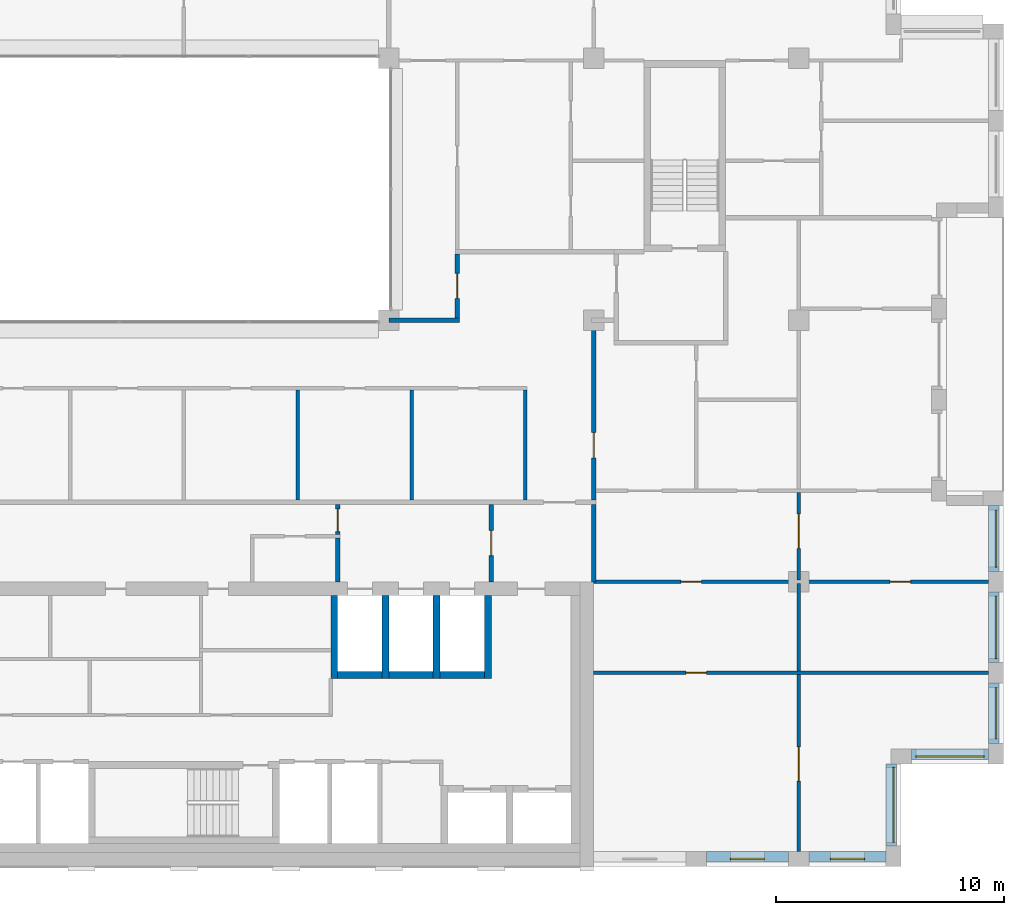
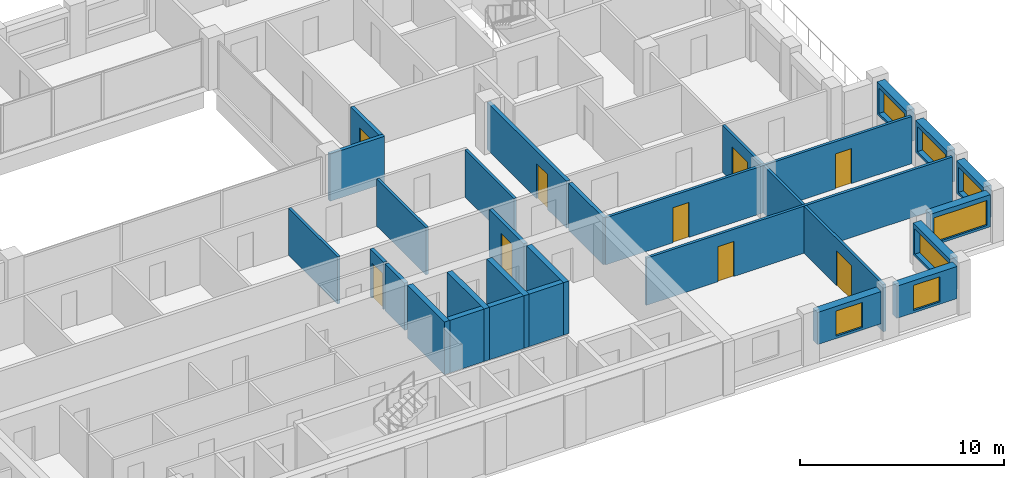
# One storey, part 11 of 15: 29 walls, 9 doors, 7 windows, 16 openings.
"""IFC4 building model written with IfcOpenShell, lengths in metres."""

from ifc_helpers import new_model, si_unit, direction, frame, frame_2d, origin, place, context, subcontext, project, spatial, rectangle, extrude, material, layer, layer_set, type_object, element, fill, save


model = new_model("IFC4")

# Units and contexts
model_context = context("Model", 3, precision=1e-05, world=origin(), true_north=direction((0.0, 1.0)))
body_context = subcontext(model_context, "Body", "Model", "MODEL_VIEW")
ifc_project = project(units=[si_unit("LENGTHUNIT", "METRE"), si_unit("AREAUNIT", "SQUARE_METRE"), si_unit("VOLUMEUNIT", "CUBIC_METRE"), si_unit("PLANEANGLEUNIT", "RADIAN"), si_unit("MASSUNIT", "GRAM", prefix="KILO")], contexts=[model_context])

# Site, building, storey
site_placement = place(None, origin())
site = spatial("IfcSite", under=ifc_project, at=site_placement, CompositionType="ELEMENT")
building_placement = place(site_placement, origin())
building = spatial("IfcBuilding", under=site, at=building_placement, Name="Brigalow Station Residences", CompositionType="ELEMENT")
storey_placement = place(building_placement, frame((0.0, 0.0, 207.449951171875)))
storey = spatial("IfcBuildingStorey", under=building, at=storey_placement, Name="L59", CompositionType="ELEMENT", Elevation=207.449951171875)

# Wall, opening, window
ifc_material_1 = material(Name="Clay brick masonry", Category="masonry")
ifc_layer_1 = layer(ifc_material_1, 0.449951171875)
ifc_layer_set_1 = layer_set([ifc_layer_1], Name="BRICK INFILL WALL 450")
wall_type_1 = type_object("IfcWallType", Name="BRICK INFILL WALL 450", PredefinedType="SOLIDWALL", material=ifc_layer_set_1)
wall_1_placement = place(storey_placement, frame((58.949951171875, 0.425048828125, 0.900146484375), z_axis=(0.0, 0.0, 1.0), x_axis=(1.0, 0.0, 0.0)))
wall_1 = element("IfcWall", 1, at=wall_1_placement, inside=storey, type_object=wall_type_1, Name="L59/ewall/W-L59-4", PredefinedType="SOLIDWALL", context=body_context, shape_type="SweptSolid", body=[
    extrude(rectangle(XDim=3.60009765625, YDim=0.449951171875, at=frame_2d((1.800048828125, 0.0))), origin(), (0.0, 0.0, 1.0), 1.929931640625),
])
opening_1_placement = place(wall_1_placement, frame((1.050048828125, 0.0, 0.14990234375)))
opening_1 = element("IfcOpeningElement", 2, at=opening_1_placement, cuts=wall_1, Name="Opening WT-1", PredefinedType="OPENING", context=body_context, shape_type="SweptSolid", body=[
    extrude(rectangle(XDim=1.5, YDim=1.5, at=frame_2d((0.75, 0.75))), frame((0.0, 0.23486328125, 0.0), z_axis=(0.0, -1.0, 0.0), x_axis=(1.0, 0.0, 0.0)), (0.0, 0.0, 1.0), 0.469970703125),
])
ifc_material_2 = material(Name="Anodised aluminium frame with double glazing", Category="aluminium")
window_type_1 = type_object("IfcWindowType", Name="WINDOW 1500x1500", PartitioningType="SINGLE_PANEL", PredefinedType="WINDOW", material=ifc_material_2)
window_1_placement = place(opening_1_placement, origin())
window_1 = element("IfcWindow", 3, at=window_1_placement, inside=storey, type_object=window_type_1, Name="L59/window/W-L59-4", OverallHeight=1.5, OverallWidth=1.5, PartitioningType="SINGLE_PANEL", PredefinedType="WINDOW", context=body_context, shape_type="SweptSolid", body=[
    extrude(rectangle(XDim=1.5, YDim=1.5, at=frame_2d((0.75, 0.75))), frame((0.0, -0.06494140625, 0.0), z_axis=(0.0, -1.0, 0.0), x_axis=(1.0, 0.0, 0.0)), (0.0, 0.0, 1.0), 0.06005859375),
])
fill(opening_1, window_1)

wall_2_placement = place(storey_placement, frame((63.449951171875, 0.425048828125, 0.900146484375), z_axis=(0.0, 0.0, 1.0), x_axis=(1.0, 0.0, 0.0)))
wall_2 = element("IfcWall", 4, at=wall_2_placement, inside=storey, type_object=wall_type_1, Name="L59/ewall/W-L59-5", PredefinedType="SOLIDWALL", context=body_context, shape_type="SweptSolid", body=[
    extrude(rectangle(XDim=3.400146484375, YDim=0.449951171875, at=frame_2d((1.7001953125, 0.0))), origin(), (0.0, 0.0, 1.0), 1.929931640625),
])
opening_2_placement = place(wall_2_placement, frame((0.949951171875, 0.0, 0.14990234375)))
opening_2 = element("IfcOpeningElement", 5, at=opening_2_placement, cuts=wall_2, Name="Opening WT-1", PredefinedType="OPENING", context=body_context, shape_type="SweptSolid", body=[
    extrude(rectangle(XDim=1.5, YDim=1.5, at=frame_2d((0.75, 0.75))), frame((0.0, 0.23486328125, 0.0), z_axis=(0.0, -1.0, 0.0), x_axis=(1.0, 0.0, 0.0)), (0.0, 0.0, 1.0), 0.469970703125),
])
window_2_placement = place(opening_2_placement, origin())
window_2 = element("IfcWindow", 6, at=window_2_placement, inside=storey, type_object=window_type_1, Name="L59/window/W-L59-5", OverallHeight=1.5, OverallWidth=1.5, PartitioningType="SINGLE_PANEL", PredefinedType="WINDOW", context=body_context, shape_type="SweptSolid", body=[
    extrude(rectangle(XDim=1.5, YDim=1.5, at=frame_2d((0.75, 0.75))), frame((0.0, -0.06494140625, 0.0), z_axis=(0.0, -1.0, 0.0), x_axis=(1.0, 0.0, 0.0)), (0.0, 0.0, 1.0), 0.06005859375),
])
fill(opening_2, window_2)

wall_3_placement = place(storey_placement, frame((67.074951171875, 0.89990234375, 0.900146484375), z_axis=(0.0, 0.0, 1.0), x_axis=(0.0, 1.0, 0.0)))
wall_3 = element("IfcWall", 7, at=wall_3_placement, inside=storey, type_object=wall_type_1, Name="L59/ewall/W-L59-6", PredefinedType="SOLIDWALL", context=body_context, shape_type="SweptSolid", body=[
    extrude(rectangle(XDim=3.60009765625, YDim=0.449951171875, at=frame_2d((1.800048828125, 0.0))), origin(), (0.0, 0.0, 1.0), 1.929931640625),
])
opening_3_placement = place(wall_3_placement, frame((0.14990234375, 0.0, 0.14990234375)))
opening_3 = element("IfcOpeningElement", 8, at=opening_3_placement, cuts=wall_3, Name="Opening WT-10", PredefinedType="OPENING", context=body_context, shape_type="SweptSolid", body=[
    extrude(rectangle(XDim=3.300048828125, YDim=1.5, at=frame_2d((1.64990234375, 0.75))), frame((0.0, 0.23486328125, 0.0), z_axis=(0.0, -1.0, 0.0), x_axis=(1.0, 0.0, 0.0)), (0.0, 0.0, 1.0), 0.469970703125),
])
ifc_material_3 = material(Name="Anodised aluminium frame with double glazing", Category="aluminium")
window_type_2 = type_object("IfcWindowType", Name="WINDOW 3300x1500", PartitioningType="SINGLE_PANEL", PredefinedType="WINDOW", material=ifc_material_3)
window_3_placement = place(opening_3_placement, origin())
window_3 = element("IfcWindow", 9, at=window_3_placement, inside=storey, type_object=window_type_2, Name="L59/window/W-L59-6", OverallHeight=1.5, OverallWidth=3.300048828125, PartitioningType="SINGLE_PANEL", PredefinedType="WINDOW", context=body_context, shape_type="SweptSolid", body=[
    extrude(rectangle(XDim=3.300048828125, YDim=1.5, at=frame_2d((1.64990234375, 0.75))), frame((0.0, -0.06494140625, 0.0), z_axis=(0.0, -1.0, 0.0), x_axis=(1.0, 0.0, 0.0)), (0.0, 0.0, 1.0), 0.06005859375),
])
fill(opening_3, window_3)

wall_4_placement = place(storey_placement, frame((67.949951171875, 4.925048828125, 0.900146484375), z_axis=(0.0, 0.0, 1.0), x_axis=(1.0, 0.0, 0.0)))
wall_4 = element("IfcWall", 10, at=wall_4_placement, inside=storey, type_object=wall_type_1, Name="L59/ewall/W-L59-7", PredefinedType="SOLIDWALL", context=body_context, shape_type="SweptSolid", body=[
    extrude(rectangle(XDim=3.400146484375, YDim=0.449951171875, at=frame_2d((1.7001953125, 0.0))), origin(), (0.0, 0.0, 1.0), 1.929931640625),
])
opening_4_placement = place(wall_4_placement, frame((0.199951171875, 0.0, 0.14990234375)))
opening_4 = element("IfcOpeningElement", 11, at=opening_4_placement, cuts=wall_4, Name="Opening WT-2", PredefinedType="OPENING", context=body_context, shape_type="SweptSolid", body=[
    extrude(rectangle(XDim=3.0, YDim=1.5, at=frame_2d((1.5, 0.75))), frame((0.0, 0.23486328125, 0.0), z_axis=(0.0, -1.0, 0.0), x_axis=(1.0, 0.0, 0.0)), (0.0, 0.0, 1.0), 0.469970703125),
])
ifc_material_4 = material(Name="Anodised aluminium frame with double glazing", Category="aluminium")
window_type_3 = type_object("IfcWindowType", Name="WINDOW 3000x1500", PartitioningType="SINGLE_PANEL", PredefinedType="WINDOW", material=ifc_material_4)
window_4_placement = place(opening_4_placement, origin())
window_4 = element("IfcWindow", 12, at=window_4_placement, inside=storey, type_object=window_type_3, Name="L59/window/W-L59-7", OverallHeight=1.5, OverallWidth=3.0, PartitioningType="SINGLE_PANEL", PredefinedType="WINDOW", context=body_context, shape_type="SweptSolid", body=[
    extrude(rectangle(XDim=3.0, YDim=1.5, at=frame_2d((1.5, 0.75))), frame((0.0, -0.06494140625, 0.0), z_axis=(0.0, -1.0, 0.0), x_axis=(1.0, 0.0, 0.0)), (0.0, 0.0, 1.0), 0.06005859375),
])
fill(opening_4, window_4)

wall_5_placement = place(storey_placement, frame((71.574951171875, 5.39990234375, 0.900146484375), z_axis=(0.0, 0.0, 1.0), x_axis=(0.0, 1.0, 0.0)))
wall_5 = element("IfcWall", 13, at=wall_5_placement, inside=storey, type_object=wall_type_1, Name="L59/ewall/W-L59-8", PredefinedType="SOLIDWALL", context=body_context, shape_type="SweptSolid", body=[
    extrude(rectangle(XDim=2.650146484375, YDim=0.449951171875, at=frame_2d((1.3251953125, 0.0))), origin(), (0.0, 0.0, 1.0), 1.929931640625),
])
opening_5_placement = place(wall_5_placement, frame((0.199951171875, 0.0, 0.14990234375)))
opening_5 = element("IfcOpeningElement", 14, at=opening_5_placement, cuts=wall_5, Name="Opening WT-6", PredefinedType="OPENING", context=body_context, shape_type="SweptSolid", body=[
    extrude(rectangle(XDim=2.25, YDim=1.5, at=frame_2d((1.125, 0.75))), frame((0.0, 0.23486328125, 0.0), z_axis=(0.0, -1.0, 0.0), x_axis=(1.0, 0.0, 0.0)), (0.0, 0.0, 1.0), 0.469970703125),
])
ifc_material_5 = material(Name="Anodised aluminium frame with double glazing", Category="aluminium")
window_type_4 = type_object("IfcWindowType", Name="WINDOW 2250x1500", PartitioningType="SINGLE_PANEL", PredefinedType="WINDOW", material=ifc_material_5)
window_5_placement = place(opening_5_placement, origin())
window_5 = element("IfcWindow", 15, at=window_5_placement, inside=storey, type_object=window_type_4, Name="L59/window/W-L59-8", OverallHeight=1.5, OverallWidth=2.25, PartitioningType="SINGLE_PANEL", PredefinedType="WINDOW", context=body_context, shape_type="SweptSolid", body=[
    extrude(rectangle(XDim=2.25, YDim=1.5, at=frame_2d((1.125, 0.75))), frame((0.0, -0.06494140625, 0.0), z_axis=(0.0, -1.0, 0.0), x_axis=(1.0, 0.0, 0.0)), (0.0, 0.0, 1.0), 0.06005859375),
])
fill(opening_5, window_5)

wall_6_placement = place(storey_placement, frame((71.574951171875, 8.949951171875, 0.900146484375), z_axis=(0.0, 0.0, 1.0), x_axis=(0.0, 1.0, 0.0)))
wall_6 = element("IfcWall", 16, at=wall_6_placement, inside=storey, type_object=wall_type_1, Name="L59/ewall/W-L59-9", PredefinedType="SOLIDWALL", context=body_context, shape_type="SweptSolid", body=[
    extrude(rectangle(XDim=3.10009765625, YDim=0.449951171875, at=frame_2d((1.550048828125, 0.0))), origin(), (0.0, 0.0, 1.0), 1.929931640625),
])
opening_6_placement = place(wall_6_placement, frame((0.175048828125, 0.0, 0.14990234375)))
opening_6 = element("IfcOpeningElement", 17, at=opening_6_placement, cuts=wall_6, Name="Opening WT-3", PredefinedType="OPENING", context=body_context, shape_type="SweptSolid", body=[
    extrude(rectangle(XDim=2.75, YDim=1.5, at=frame_2d((1.375, 0.75))), frame((0.0, 0.23486328125, 0.0), z_axis=(0.0, -1.0, 0.0), x_axis=(1.0, 0.0, 0.0)), (0.0, 0.0, 1.0), 0.469970703125),
])
ifc_material_6 = material(Name="Anodised aluminium frame with double glazing", Category="aluminium")
window_type_5 = type_object("IfcWindowType", Name="WINDOW 2750x1500", PartitioningType="SINGLE_PANEL", PredefinedType="WINDOW", material=ifc_material_6)
window_6_placement = place(opening_6_placement, origin())
window_6 = element("IfcWindow", 18, at=window_6_placement, inside=storey, type_object=window_type_5, Name="L59/window/W-L59-9", OverallHeight=1.5, OverallWidth=2.75, PartitioningType="SINGLE_PANEL", PredefinedType="WINDOW", context=body_context, shape_type="SweptSolid", body=[
    extrude(rectangle(XDim=2.75, YDim=1.5, at=frame_2d((1.375, 0.75))), frame((0.0, -0.06494140625, 0.0), z_axis=(0.0, -1.0, 0.0), x_axis=(1.0, 0.0, 0.0)), (0.0, 0.0, 1.0), 0.06005859375),
])
fill(opening_6, window_6)

wall_7_placement = place(storey_placement, frame((71.574951171875, 12.949951171875, 0.900146484375), z_axis=(0.0, 0.0, 1.0), x_axis=(0.0, 1.0, 0.0)))
wall_7 = element("IfcWall", 19, at=wall_7_placement, inside=storey, type_object=wall_type_1, Name="L59/ewall/W-L59-10", PredefinedType="SOLIDWALL", context=body_context, shape_type="SweptSolid", body=[
    extrude(rectangle(XDim=2.900146484375, YDim=0.449951171875, at=frame_2d((1.4501953125, 0.0))), origin(), (0.0, 0.0, 1.0), 1.929931640625),
])
opening_7_placement = place(wall_7_placement, frame((0.199951171875, 0.0, 0.14990234375)))
opening_7 = element("IfcOpeningElement", 20, at=opening_7_placement, cuts=wall_7, Name="Opening WT-5", PredefinedType="OPENING", context=body_context, shape_type="SweptSolid", body=[
    extrude(rectangle(XDim=2.5, YDim=1.5, at=frame_2d((1.25, 0.75))), frame((0.0, 0.23486328125, 0.0), z_axis=(0.0, -1.0, 0.0), x_axis=(1.0, 0.0, 0.0)), (0.0, 0.0, 1.0), 0.469970703125),
])
ifc_material_7 = material(Name="Anodised aluminium frame with double glazing", Category="aluminium")
window_type_6 = type_object("IfcWindowType", Name="WINDOW 2500x1500", PartitioningType="SINGLE_PANEL", PredefinedType="WINDOW", material=ifc_material_7)
window_7_placement = place(opening_7_placement, origin())
window_7 = element("IfcWindow", 21, at=window_7_placement, inside=storey, type_object=window_type_6, Name="L59/window/W-L59-10", OverallHeight=1.5, OverallWidth=2.5, PartitioningType="SINGLE_PANEL", PredefinedType="WINDOW", context=body_context, shape_type="SweptSolid", body=[
    extrude(rectangle(XDim=2.5, YDim=1.5, at=frame_2d((1.25, 0.75))), frame((0.0, -0.06494140625, 0.0), z_axis=(0.0, -1.0, 0.0), x_axis=(1.0, 0.0, 0.0)), (0.0, 0.0, 1.0), 0.06005859375),
])
fill(opening_7, window_7)

# Walls
ifc_material_8 = material(Name="Concrete C50", Category="concrete")
ifc_layer_2 = layer(ifc_material_8, 0.300048828125)
ifc_layer_set_2 = layer_set([ifc_layer_2], Name="CORE SHEAR WALL 300 C50")
wall_type_2 = type_object("IfcWallType", Name="CORE SHEAR WALL 300 C50", PredefinedType="SHEAR", material=ifc_layer_set_2)
wall_8_placement = place(storey_placement, frame((42.75, 8.39990234375, 0.0), z_axis=(0.0, 0.0, 1.0), x_axis=(1.0, 0.0, 0.0)))
element("IfcWall", 22, at=wall_8_placement, inside=storey, type_object=wall_type_2, Name="CORE WALL SH-FF1-S L59", PredefinedType="SHEAR", context=body_context, shape_type="SweptSolid", body=[
    extrude(rectangle(XDim=1.949951171875, YDim=0.300048828125, at=frame_2d((0.97509765625, 0.0))), origin(), (0.0, 0.0, 1.0), 3.150146484375),
])
wall_9_placement = place(storey_placement, frame((42.60009765625, 8.25, 0.0), z_axis=(0.0, 0.0, 1.0), x_axis=(0.0, 1.0, 0.0)))
element("IfcWall", 23, at=wall_9_placement, inside=storey, type_object=wall_type_2, Name="CORE WALL SH-FF1-W L59", PredefinedType="SHEAR", context=body_context, shape_type="SweptSolid", body=[
    extrude(rectangle(XDim=3.64990234375, YDim=0.300048828125, at=frame_2d((1.824951171875, 0.0))), origin(), (0.0, 0.0, 1.0), 3.150146484375),
])
wall_10_placement = place(storey_placement, frame((45.0, 8.39990234375, 0.0), z_axis=(0.0, 0.0, 1.0), x_axis=(1.0, 0.0, 0.0)))
element("IfcWall", 24, at=wall_10_placement, inside=storey, type_object=wall_type_2, Name="CORE WALL SH-FF2-S L59", PredefinedType="SHEAR", context=body_context, shape_type="SweptSolid", body=[
    extrude(rectangle(XDim=1.949951171875, YDim=0.300048828125, at=frame_2d((0.97509765625, 0.0))), origin(), (0.0, 0.0, 1.0), 3.150146484375),
])
wall_11_placement = place(storey_placement, frame((44.85009765625, 8.25, 0.0), z_axis=(0.0, 0.0, 1.0), x_axis=(0.0, 1.0, 0.0)))
element("IfcWall", 25, at=wall_11_placement, inside=storey, type_object=wall_type_2, Name="CORE WALL SH-FF2-W L59", PredefinedType="SHEAR", context=body_context, shape_type="SweptSolid", body=[
    extrude(rectangle(XDim=3.64990234375, YDim=0.300048828125, at=frame_2d((1.824951171875, 0.0))), origin(), (0.0, 0.0, 1.0), 3.150146484375),
])
wall_12_placement = place(storey_placement, frame((47.25, 8.39990234375, 0.0), z_axis=(0.0, 0.0, 1.0), x_axis=(1.0, 0.0, 0.0)))
element("IfcWall", 26, at=wall_12_placement, inside=storey, type_object=wall_type_2, Name="CORE WALL SH-SL1-S L59", PredefinedType="SHEAR", context=body_context, shape_type="SweptSolid", body=[
    extrude(rectangle(XDim=1.949951171875, YDim=0.300048828125, at=frame_2d((0.97509765625, 0.0))), origin(), (0.0, 0.0, 1.0), 3.150146484375),
])
for number, where, z_axis, x_axis, name in (
    (27, (47.10009765625, 8.25, 0.0), (0.0, 0.0, 1.0), (0.0, 1.0, 0.0), "CORE WALL SH-SL1-W L59"),
    (28, (49.35009765625, 8.25, 0.0), (0.0, 0.0, 1.0), (0.0, 1.0, 0.0), "CORE WALL SH-SL1-E L59"),
):
    element("IfcWall", number, at=place(storey_placement, frame(where, z_axis=z_axis, x_axis=x_axis)), inside=storey, type_object=wall_type_2, Name=name, PredefinedType="SHEAR", context=body_context, shape_type="SweptSolid", body=[
        extrude(rectangle(XDim=3.64990234375, YDim=0.300048828125, at=frame_2d((1.824951171875, 0.0))), origin(), (0.0, 0.0, 1.0), 3.150146484375),
    ])
ifc_material_9 = material(Name="Concrete blockwork", Category="masonry")
ifc_layer_3 = layer(ifc_material_9, 0.199951171875)
ifc_layer_set_3 = layer_set([ifc_layer_3], Name="FIRE RATED CORE PARTITION 200")
wall_type_3 = type_object("IfcWallType", Name="FIRE RATED CORE PARTITION 200", PredefinedType="PARTITIONING", material=ifc_layer_set_3)
wall_13_placement = place(storey_placement, frame((42.75, 12.5, 0.0), z_axis=(0.0, 0.0, 1.0), x_axis=(0.0, 1.0, 0.0)))
element("IfcWall", 29, at=wall_13_placement, inside=storey, type_object=wall_type_3, Name="PW-5046", PredefinedType="PARTITIONING", context=body_context, shape_type="SweptSolid", body=[
    extrude(rectangle(XDim=1.925048828125, YDim=0.199951171875, at=frame_2d((0.96240234375, 0.0))), origin(), (0.0, 0.0, 1.0), 2.830078125),
])

# Wall, opening, door
wall_14_placement = place(storey_placement, frame((49.5, 12.5, 0.0), z_axis=(0.0, 0.0, 1.0), x_axis=(0.0, 1.0, 0.0)))
wall_14 = element("IfcWall", 30, at=wall_14_placement, inside=storey, type_object=wall_type_3, Name="PW-5015", PredefinedType="PARTITIONING", context=body_context, shape_type="SweptSolid", body=[
    extrude(rectangle(XDim=3.39990234375, YDim=0.199951171875, at=frame_2d((1.699951171875, 0.0))), origin(), (0.0, 0.0, 1.0), 2.830078125),
])
opening_8_placement = place(wall_14_placement, frame((1.14990234375, 0.0, 0.0)))
opening_8 = element("IfcOpeningElement", 31, at=opening_8_placement, cuts=wall_14, Name="Opening D-5014", PredefinedType="OPENING", context=body_context, shape_type="SweptSolid", body=[
    extrude(rectangle(XDim=1.10009765625, YDim=2.10009765625, at=frame_2d((0.550048828125, 1.050048828125))), frame((0.0, 0.10986328125, 0.0), z_axis=(0.0, -1.0, 0.0), x_axis=(1.0, 0.0, 0.0)), (0.0, 0.0, 1.0), 0.219970703125),
])
ifc_material_10 = material(Name="Steel fire door leaf in steel frame", Category="steel")
door_type_1 = type_object("IfcDoorType", Name="LOBBY DOOR 1100 x 2100 FD60S", OperationType="SINGLE_SWING_LEFT", PredefinedType="DOOR", material=ifc_material_10)
door_1_placement = place(opening_8_placement, origin())
door_1 = element("IfcDoor", 32, at=door_1_placement, inside=storey, type_object=door_type_1, Name="D-5014", OperationType="SINGLE_SWING_LEFT", OverallHeight=2.10009765625, OverallWidth=1.10009765625, PredefinedType="DOOR", context=body_context, shape_type="SweptSolid", body=[
    extrude(rectangle(XDim=1.10009765625, YDim=2.10009765625, at=frame_2d((0.550048828125, 1.050048828125))), frame((0.0, 0.02490234375, 0.0), z_axis=(0.0, -1.0, 0.0), x_axis=(1.0, 0.0, 0.0)), (0.0, 0.0, 1.0), 0.050048828125),
])
fill(opening_8, door_1)

# Wall
wall_15_placement = place(storey_placement, frame((54.0, 12.5, 0.0), z_axis=(0.0, 0.0, 1.0), x_axis=(0.0, 1.0, 0.0)))
element("IfcWall", 33, at=wall_15_placement, inside=storey, type_object=wall_type_3, Name="PW-5016", PredefinedType="PARTITIONING", context=body_context, shape_type="SweptSolid", body=[
    extrude(rectangle(XDim=3.39990234375, YDim=0.199951171875, at=frame_2d((1.699951171875, 0.0))), origin(), (0.0, 0.0, 1.0), 2.830078125),
])

# Wall, opening, door
wall_16_placement = place(storey_placement, frame((42.75, 14.574951171875, 0.0), z_axis=(0.0, 0.0, 1.0), x_axis=(0.0, 1.0, 0.0)))
wall_16 = element("IfcWall", 34, at=wall_16_placement, inside=storey, type_object=wall_type_3, Name="PW-5047", PredefinedType="PARTITIONING", context=body_context, shape_type="SweptSolid", body=[
    extrude(rectangle(XDim=1.324951171875, YDim=0.199951171875, at=frame_2d((0.66259765625, 0.0))), origin(), (0.0, 0.0, 1.0), 2.830078125),
])
opening_9_placement = place(wall_16_placement, frame((0.125, 0.0, 0.0)))
opening_9 = element("IfcOpeningElement", 35, at=opening_9_placement, cuts=wall_16, Name="Opening D-5013", PredefinedType="OPENING", context=body_context, shape_type="SweptSolid", body=[
    extrude(rectangle(XDim=1.0, YDim=2.10009765625, at=frame_2d((0.5, 1.050048828125))), frame((0.0, 0.10986328125, 0.0), z_axis=(0.0, -1.0, 0.0), x_axis=(1.0, 0.0, 0.0)), (0.0, 0.0, 1.0), 0.219970703125),
])
ifc_material_11 = material(Name="Steel fire door leaf in steel frame", Category="steel")
door_type_2 = type_object("IfcDoorType", Name="LOBBY DOOR 1000 x 2100 FD60S", OperationType="SINGLE_SWING_LEFT", PredefinedType="DOOR", material=ifc_material_11)
door_2_placement = place(opening_9_placement, origin())
door_2 = element("IfcDoor", 36, at=door_2_placement, inside=storey, type_object=door_type_2, Name="D-5013", OperationType="SINGLE_SWING_LEFT", OverallHeight=2.10009765625, OverallWidth=1.0, PredefinedType="DOOR", context=body_context, shape_type="SweptSolid", body=[
    extrude(rectangle(XDim=1.0, YDim=2.10009765625, at=frame_2d((0.5, 1.050048828125))), frame((0.0, 0.02490234375, 0.0), z_axis=(0.0, -1.0, 0.0), x_axis=(1.0, 0.0, 0.0)), (0.0, 0.0, 1.0), 0.050048828125),
])
fill(opening_9, door_2)

# Wall, openings, doors
ifc_material_12 = material(Name="Plasterboard on steel stud partition", Category="steel")
ifc_layer_4 = layer(ifc_material_12, 0.14990234375)
ifc_layer_set_4 = layer_set([ifc_layer_4], Name="FLAT PARTITION 150")
wall_type_4 = type_object("IfcWallType", Name="FLAT PARTITION 150", PredefinedType="PARTITIONING", material=ifc_layer_set_4)
wall_17_placement = place(storey_placement, frame((54.0, 12.5, 0.0), z_axis=(0.0, 0.0, 1.0), x_axis=(1.0, 0.0, 0.0)))
wall_17 = element("IfcWall", 37, at=wall_17_placement, inside=storey, type_object=wall_type_4, Name="PW-4B11", PredefinedType="PARTITIONING", context=body_context, shape_type="SweptSolid", body=[
    extrude(rectangle(XDim=17.35009765625, YDim=0.14990234375, at=frame_2d((8.675048828125, 0.0))), origin(), (0.0, 0.0, 1.0), 2.830078125),
])
opening_10_placement = place(wall_17_placement, frame((3.824951171875, 0.0, 0.0)))
opening_10 = element("IfcOpeningElement", 38, at=opening_10_placement, cuts=wall_17, Name="Opening D-4B34", PredefinedType="OPENING", context=body_context, shape_type="SweptSolid", body=[
    extrude(rectangle(XDim=0.89990234375, YDim=2.10009765625, at=frame_2d((0.449951171875, 1.050048828125))), frame((0.0, 0.0849609375, 0.0), z_axis=(0.0, -1.0, 0.0), x_axis=(1.0, 0.0, 0.0)), (0.0, 0.0, 1.0), 0.169921875),
])
opening_11_placement = place(wall_17_placement, frame((13.02490234375, 0.0, 0.0)))
opening_11 = element("IfcOpeningElement", 39, at=opening_11_placement, cuts=wall_17, Name="Opening D-4B38", PredefinedType="OPENING", context=body_context, shape_type="SweptSolid", body=[
    extrude(rectangle(XDim=0.89990234375, YDim=2.10009765625, at=frame_2d((0.449951171875, 1.050048828125))), frame((0.0, 0.0849609375, 0.0), z_axis=(0.0, -1.0, 0.0), x_axis=(1.0, 0.0, 0.0)), (0.0, 0.0, 1.0), 0.169921875),
])
ifc_material_13 = material(Name="Solid-core timber door leaf", Category="wood")
door_type_3 = type_object("IfcDoorType", Name="INTERNAL DOOR 900 x 2100", OperationType="SINGLE_SWING_LEFT", PredefinedType="DOOR", material=ifc_material_13)
door_3_placement = place(opening_10_placement, origin())
door_3 = element("IfcDoor", 40, at=door_3_placement, inside=storey, type_object=door_type_3, Name="D-4B34", OperationType="SINGLE_SWING_LEFT", OverallHeight=2.10009765625, OverallWidth=0.89990234375, PredefinedType="DOOR", context=body_context, shape_type="SweptSolid", body=[
    extrude(rectangle(XDim=0.89990234375, YDim=2.10009765625, at=frame_2d((0.449951171875, 1.050048828125))), frame((0.0, 0.02490234375, 0.0), z_axis=(0.0, -1.0, 0.0), x_axis=(1.0, 0.0, 0.0)), (0.0, 0.0, 1.0), 0.050048828125),
])
fill(opening_10, door_3)
door_4_placement = place(opening_11_placement, origin())
door_4 = element("IfcDoor", 41, at=door_4_placement, inside=storey, type_object=door_type_3, Name="D-4B38", OperationType="SINGLE_SWING_RIGHT", OverallHeight=2.10009765625, OverallWidth=0.89990234375, PredefinedType="DOOR", context=body_context, shape_type="SweptSolid", body=[
    extrude(rectangle(XDim=0.89990234375, YDim=2.10009765625, at=frame_2d((0.449951171875, 1.050048828125))), frame((0.0, 0.02490234375, 0.0), z_axis=(0.0, -1.0, 0.0), x_axis=(1.0, 0.0, 0.0)), (0.0, 0.0, 1.0), 0.050048828125),
])
fill(opening_11, door_4)

# Wall, opening, door
wall_18_placement = place(storey_placement, frame((54.0, 8.5, 0.0), z_axis=(0.0, 0.0, 1.0), x_axis=(1.0, 0.0, 0.0)))
wall_18 = element("IfcWall", 42, at=wall_18_placement, inside=storey, type_object=wall_type_4, Name="PW-4B13", PredefinedType="PARTITIONING", context=body_context, shape_type="SweptSolid", body=[
    extrude(rectangle(XDim=17.35009765625, YDim=0.14990234375, at=frame_2d((8.675048828125, 0.0))), origin(), (0.0, 0.0, 1.0), 2.830078125),
])
opening_12_placement = place(wall_18_placement, frame((4.050048828125, 0.0, 0.0)))
opening_12 = element("IfcOpeningElement", 43, at=opening_12_placement, cuts=wall_18, Name="Opening D-4B35", PredefinedType="OPENING", context=body_context, shape_type="SweptSolid", body=[
    extrude(rectangle(XDim=0.89990234375, YDim=2.10009765625, at=frame_2d((0.449951171875, 1.050048828125))), frame((0.0, 0.0849609375, 0.0), z_axis=(0.0, -1.0, 0.0), x_axis=(1.0, 0.0, 0.0)), (0.0, 0.0, 1.0), 0.169921875),
])
door_5_placement = place(opening_12_placement, origin())
door_5 = element("IfcDoor", 44, at=door_5_placement, inside=storey, type_object=door_type_3, Name="D-4B35", OperationType="SINGLE_SWING_RIGHT", OverallHeight=2.10009765625, OverallWidth=0.89990234375, PredefinedType="DOOR", context=body_context, shape_type="SweptSolid", body=[
    extrude(rectangle(XDim=0.89990234375, YDim=2.10009765625, at=frame_2d((0.449951171875, 1.050048828125))), frame((0.0, 0.02490234375, 0.0), z_axis=(0.0, -1.0, 0.0), x_axis=(1.0, 0.0, 0.0)), (0.0, 0.0, 1.0), 0.050048828125),
])
fill(opening_12, door_5)

# Wall
wall_19_placement = place(storey_placement, frame((51.0, 16.10009765625, 0.0), z_axis=(0.0, 0.0, 1.0), x_axis=(0.0, 1.0, 0.0)))
element("IfcWall", 45, at=wall_19_placement, inside=storey, type_object=wall_type_4, Name="PW-4B32", PredefinedType="PARTITIONING", context=body_context, shape_type="SweptSolid", body=[
    extrude(rectangle(XDim=4.824951171875, YDim=0.14990234375, at=frame_2d((2.41259765625, 0.0))), origin(), (0.0, 0.0, 1.0), 2.830078125),
])

# Wall, opening, door
wall_20_placement = place(storey_placement, frame((63.0, 0.64990234375, 0.0), z_axis=(0.0, 0.0, 1.0), x_axis=(0.0, 1.0, 0.0)))
wall_20 = element("IfcWall", 46, at=wall_20_placement, inside=storey, type_object=wall_type_4, Name="PW-4B47", PredefinedType="PARTITIONING", context=body_context, shape_type="SweptSolid", body=[
    extrude(rectangle(XDim=7.775146484375, YDim=0.14990234375, at=frame_2d((3.8876953125, 0.0))), origin(), (0.0, 0.0, 1.0), 2.830078125),
])
opening_13_placement = place(wall_20_placement, frame((3.10009765625, 0.0, 0.0)))
opening_13 = element("IfcOpeningElement", 47, at=opening_13_placement, cuts=wall_20, Name="Opening D-4B36", PredefinedType="OPENING", context=body_context, shape_type="SweptSolid", body=[
    extrude(rectangle(XDim=1.5, YDim=2.10009765625, at=frame_2d((0.75, 1.050048828125))), frame((0.0, 0.0849609375, 0.0), z_axis=(0.0, -1.0, 0.0), x_axis=(1.0, 0.0, 0.0)), (0.0, 0.0, 1.0), 0.169921875),
])
ifc_material_14 = material(Name="Solid-core timber door leaf", Category="wood")
door_type_4 = type_object("IfcDoorType", Name="INTERNAL DOUBLE DOOR 1500 x 2100", OperationType="DOUBLE_DOOR_SINGLE_SWING", PredefinedType="DOOR", material=ifc_material_14)
door_6_placement = place(opening_13_placement, frame((1.5, 0.0, 0.0), z_axis=(0.0, 0.0, 1.0), x_axis=(-1.0, 0.0, 0.0)))
door_6 = element("IfcDoor", 48, at=door_6_placement, inside=storey, type_object=door_type_4, Name="D-4B36", OperationType="DOUBLE_DOOR_SINGLE_SWING", OverallHeight=2.10009765625, OverallWidth=1.5, PredefinedType="DOOR", context=body_context, shape_type="SweptSolid", body=[
    extrude(rectangle(XDim=1.5, YDim=2.10009765625, at=frame_2d((0.75, 1.050048828125))), frame((0.0, 0.02490234375, 0.0), z_axis=(0.0, -1.0, 0.0), x_axis=(1.0, 0.0, 0.0)), (0.0, 0.0, 1.0), 0.050048828125),
])
fill(opening_13, door_6)

# Wall
wall_21_placement = place(storey_placement, frame((63.0, 8.574951171875, 0.0), z_axis=(0.0, 0.0, 1.0), x_axis=(0.0, 1.0, 0.0)))
element("IfcWall", 49, at=wall_21_placement, inside=storey, type_object=wall_type_4, Name="PW-4B48", PredefinedType="PARTITIONING", context=body_context, shape_type="SweptSolid", body=[
    extrude(rectangle(XDim=3.85009765625, YDim=0.14990234375, at=frame_2d((1.925048828125, 0.0))), origin(), (0.0, 0.0, 1.0), 2.830078125),
])

# Wall, opening, door
wall_22_placement = place(storey_placement, frame((63.0, 12.574951171875, 0.0), z_axis=(0.0, 0.0, 1.0), x_axis=(0.0, 1.0, 0.0)))
wall_22 = element("IfcWall", 50, at=wall_22_placement, inside=storey, type_object=wall_type_4, Name="PW-4B49", PredefinedType="PARTITIONING", context=body_context, shape_type="SweptSolid", body=[
    extrude(rectangle(XDim=3.85009765625, YDim=0.14990234375, at=frame_2d((1.925048828125, 0.0))), origin(), (0.0, 0.0, 1.0), 2.830078125),
])
opening_14_placement = place(wall_22_placement, frame((1.39990234375, 0.0, 0.0)))
opening_14 = element("IfcOpeningElement", 51, at=opening_14_placement, cuts=wall_22, Name="Opening D-4B37", PredefinedType="OPENING", context=body_context, shape_type="SweptSolid", body=[
    extrude(rectangle(XDim=1.5, YDim=2.10009765625, at=frame_2d((0.75, 1.050048828125))), frame((0.0, 0.0849609375, 0.0), z_axis=(0.0, -1.0, 0.0), x_axis=(1.0, 0.0, 0.0)), (0.0, 0.0, 1.0), 0.169921875),
])
door_7_placement = place(opening_14_placement, frame((1.5, 0.0, 0.0), z_axis=(0.0, 0.0, 1.0), x_axis=(-1.0, 0.0, 0.0)))
door_7 = element("IfcDoor", 52, at=door_7_placement, inside=storey, type_object=door_type_4, Name="D-4B37", OperationType="DOUBLE_DOOR_SINGLE_SWING", OverallHeight=2.10009765625, OverallWidth=1.5, PredefinedType="DOOR", context=body_context, shape_type="SweptSolid", body=[
    extrude(rectangle(XDim=1.5, YDim=2.10009765625, at=frame_2d((0.75, 1.050048828125))), frame((0.0, 0.02490234375, 0.0), z_axis=(0.0, -1.0, 0.0), x_axis=(1.0, 0.0, 0.0)), (0.0, 0.0, 1.0), 0.050048828125),
])
fill(opening_14, door_7)

# Walls
for number, where, z_axis, x_axis, name in (
    (53, (41.0, 16.10009765625, 0.0), (0.0, 0.0, 1.0), (0.0, 1.0, 0.0), "PW-4B54"),
    (54, (46.0, 16.10009765625, 0.0), (0.0, 0.0, 1.0), (0.0, 1.0, 0.0), "PW-4B55"),
):
    element("IfcWall", number, at=place(storey_placement, frame(where, z_axis=z_axis, x_axis=x_axis)), inside=storey, type_object=wall_type_4, Name=name, PredefinedType="PARTITIONING", context=body_context, shape_type="SweptSolid", body=[
        extrude(rectangle(XDim=4.824951171875, YDim=0.14990234375, at=frame_2d((2.41259765625, 0.0))), origin(), (0.0, 0.0, 1.0), 2.830078125),
    ])
ifc_material_15 = material(Name="Plasterboard on steel stud partition", Category="steel")
ifc_layer_5 = layer(ifc_material_15, 0.199951171875)
ifc_layer_set_5 = layer_set([ifc_layer_5], Name="PARTY AND CORRIDOR WALL 200")
wall_type_5 = type_object("IfcWallType", Name="PARTY AND CORRIDOR WALL 200", PredefinedType="PARTITIONING", material=ifc_layer_set_5)
wall_23_placement = place(storey_placement, frame((45.0, 24.0, 0.0), z_axis=(0.0, 0.0, 1.0), x_axis=(1.0, 0.0, 0.0)))
element("IfcWall", 55, at=wall_23_placement, inside=storey, type_object=wall_type_5, Name="PW-4B03", PredefinedType="PARTITIONING", context=body_context, shape_type="SweptSolid", body=[
    extrude(rectangle(XDim=3.10009765625, YDim=0.199951171875, at=frame_2d((1.550048828125, 0.0))), origin(), (0.0, 0.0, 1.0), 2.830078125),
])

# Wall, opening, door
wall_24_placement = place(storey_placement, frame((54.0, 16.10009765625, 0.0), z_axis=(0.0, 0.0, 1.0), x_axis=(0.0, 1.0, 0.0)))
wall_24 = element("IfcWall", 56, at=wall_24_placement, inside=storey, type_object=wall_type_5, Name="PW-4B30", PredefinedType="PARTITIONING", context=body_context, shape_type="SweptSolid", body=[
    extrude(rectangle(XDim=7.7998046875, YDim=0.199951171875, at=frame_2d((3.89990234375, 0.0))), origin(), (0.0, 0.0, 1.0), 2.830078125),
])
opening_15_placement = place(wall_24_placement, frame((1.85009765625, 0.0, 0.0)))
opening_15 = element("IfcOpeningElement", 57, at=opening_15_placement, cuts=wall_24, Name="Opening D-4B31", PredefinedType="OPENING", context=body_context, shape_type="SweptSolid", body=[
    extrude(rectangle(XDim=1.10009765625, YDim=2.10009765625, at=frame_2d((0.550048828125, 1.050048828125))), frame((0.0, 0.10986328125, 0.0), z_axis=(0.0, -1.0, 0.0), x_axis=(1.0, 0.0, 0.0)), (0.0, 0.0, 1.0), 0.219970703125),
])
ifc_material_16 = material(Name="Solid-core timber door leaf", Category="wood")
door_type_5 = type_object("IfcDoorType", Name="FLAT ENTRANCE DOOR 1100 x 2100 FRL -/60/30", OperationType="SINGLE_SWING_LEFT", PredefinedType="DOOR", material=ifc_material_16)
door_8_placement = place(opening_15_placement, frame((1.10009765625, 0.0, 0.0), z_axis=(0.0, 0.0, 1.0), x_axis=(-1.0, 0.0, 0.0)))
door_8 = element("IfcDoor", 58, at=door_8_placement, inside=storey, type_object=door_type_5, Name="D-4B31", OperationType="SINGLE_SWING_RIGHT", OverallHeight=2.10009765625, OverallWidth=1.10009765625, PredefinedType="DOOR", context=body_context, shape_type="SweptSolid", body=[
    extrude(rectangle(XDim=1.10009765625, YDim=2.10009765625, at=frame_2d((0.550048828125, 1.050048828125))), frame((0.0, 0.02490234375, 0.0), z_axis=(0.0, -1.0, 0.0), x_axis=(1.0, 0.0, 0.0)), (0.0, 0.0, 1.0), 0.050048828125),
])
fill(opening_15, door_8)

wall_25_placement = place(storey_placement, frame((48.0, 24.10009765625, 0.0), z_axis=(0.0, 0.0, 1.0), x_axis=(0.0, 1.0, 0.0)))
wall_25 = element("IfcWall", 59, at=wall_25_placement, inside=storey, type_object=wall_type_5, Name="PW-4B36", PredefinedType="PARTITIONING", context=body_context, shape_type="SweptSolid", body=[
    extrude(rectangle(XDim=2.7998046875, YDim=0.199951171875, at=frame_2d((1.39990234375, 0.0))), origin(), (0.0, 0.0, 1.0), 2.830078125),
])
opening_16_placement = place(wall_25_placement, frame((0.85009765625, 0.0, 0.0)))
opening_16 = element("IfcOpeningElement", 60, at=opening_16_placement, cuts=wall_25, Name="Opening D-4B20", PredefinedType="OPENING", context=body_context, shape_type="SweptSolid", body=[
    extrude(rectangle(XDim=1.10009765625, YDim=2.10009765625, at=frame_2d((0.550048828125, 1.050048828125))), frame((0.0, 0.10986328125, 0.0), z_axis=(0.0, -1.0, 0.0), x_axis=(1.0, 0.0, 0.0)), (0.0, 0.0, 1.0), 0.219970703125),
])
door_9_placement = place(opening_16_placement, origin())
door_9 = element("IfcDoor", 61, at=door_9_placement, inside=storey, type_object=door_type_5, Name="D-4B20", OperationType="SINGLE_SWING_LEFT", OverallHeight=2.10009765625, OverallWidth=1.10009765625, PredefinedType="DOOR", context=body_context, shape_type="SweptSolid", body=[
    extrude(rectangle(XDim=1.10009765625, YDim=2.10009765625, at=frame_2d((0.550048828125, 1.050048828125))), frame((0.0, 0.02490234375, 0.0), z_axis=(0.0, -1.0, 0.0), x_axis=(1.0, 0.0, 0.0)), (0.0, 0.0, 1.0), 0.050048828125),
])
fill(opening_16, door_9)

save(model, "model.ifc")
